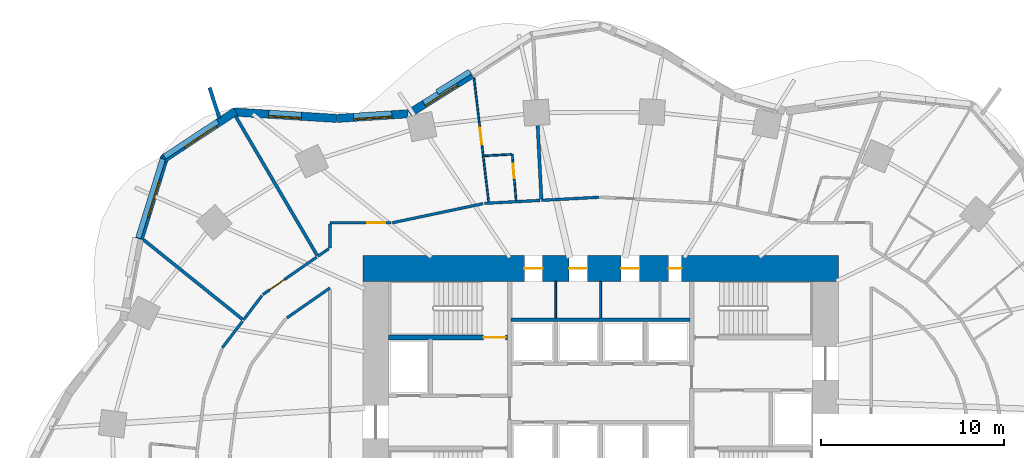
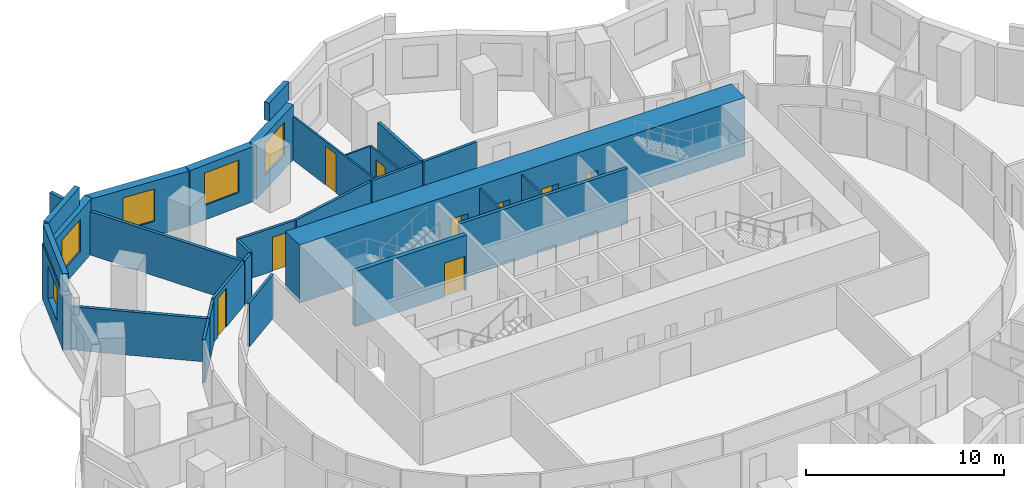
# One storey, part 8 of 11: 30 walls, 9 doors, 5 windows, 14 openings.
"""IFC4 building model written with IfcOpenShell, lengths in metres."""

import ifcopenshell
import ifcopenshell.guid

model = None  # the IFC model being written
_history = None  # IfcOwnerHistory: only IFC2X3 demands one
_inside = {}  # id of a spatial element -> (the spatial element, [elements in it])
_under = {}  # id of a project, library or spatial element -> (it, [spatial elements below it])
_declared = {}  # id of a project -> (the project, [libraries it declares])
_typed = {}  # id of a type object -> (the type object, [elements of that type])
_made_of = {}  # id of a material, layer set ... -> (it, [elements and type objects made of it])


def new_model(schema):
    """Start an empty IFC model of exactly this schema.

    Asked for "IFC4X3", IfcOpenShell would pick the latest addendum, in which some entities
    have other attributes; the version numbers below select the first issue.
    IFC2X3 requires an IfcOwnerHistory on every rooted entity: one is made here for all.
    """
    global model, _history
    if schema == "IFC4X3":
        model = ifcopenshell.file(schema_version=(4, 3, 0, 0))
    else:
        model = ifcopenshell.file(schema=schema)
    _inside.clear()
    _under.clear()
    _declared.clear()
    _typed.clear()
    _made_of.clear()
    _history = None
    if model.schema == "IFC2X3":
        org = make("IfcOrganization", Name="unknown")
        user = make(
            "IfcPersonAndOrganization",
            ThePerson=make("IfcPerson", FamilyName="unknown"),
            TheOrganization=org,
        )
        app = make(
            "IfcApplication",
            ApplicationDeveloper=org,
            Version="unknown",
            ApplicationFullName="unknown",
            ApplicationIdentifier="unknown",
        )
        _history = make(
            "IfcOwnerHistory",
            OwningUser=user,
            OwningApplication=app,
            ChangeAction="ADDED",
            CreationDate=0,
        )
    return model


def make(cls, **values):
    """One entity of the class cls with the attributes given. An attribute that is None is left unset."""
    return model.create_entity(
        cls, **{name: value for name, value in values.items() if value is not None}
    )


def rooted(cls, **values):
    """An entity with a GlobalId (a new one), such as an element, a storey or a relation."""
    return make(cls, GlobalId=ifcopenshell.guid.new(), OwnerHistory=_history, **values)


def si_unit(unit_type, name, prefix=None):
    """IfcSIUnit, for example si_unit("LENGTHUNIT", "METRE", prefix="MILLI")."""
    return make("IfcSIUnit", UnitType=unit_type, Prefix=prefix, Name=name)


def assignment(units):
    """IfcUnitAssignment: the units of a project."""
    return None if units is None else make("IfcUnitAssignment", Units=units)


def point(xyz):
    """IfcCartesianPoint."""
    return None if xyz is None else make("IfcCartesianPoint", Coordinates=xyz)


def direction(xyz):
    """IfcDirection."""
    return None if xyz is None else make("IfcDirection", DirectionRatios=xyz)


def frame(location, z_axis=None, x_axis=None):
    """IfcAxis2Placement3D, a coordinate frame: its origin and axes. An axis left out is left unset."""
    return make(
        "IfcAxis2Placement3D",
        Location=point(location),
        Axis=direction(z_axis),
        RefDirection=direction(x_axis),
    )


def frame_2d(location, x_axis=None):
    """IfcAxis2Placement2D, a coordinate frame in the plane: its origin and x axis."""
    return make(
        "IfcAxis2Placement2D", Location=point(location), RefDirection=direction(x_axis)
    )


def origin():
    """The frame at (0, 0, 0) with its axes left unset."""
    return frame((0.0, 0.0, 0.0))


def place(relative_to, where):
    """IfcLocalPlacement: puts the frame where relative to a parent placement (None: the world)."""
    return make(
        "IfcLocalPlacement", PlacementRelTo=relative_to, RelativePlacement=where
    )


def context(
    kind, dimensions, precision=None, world=None, true_north=None, identifier=None
):
    """IfcGeometricRepresentationContext, for example the 3D "Model" context."""
    return make(
        "IfcGeometricRepresentationContext",
        ContextIdentifier=identifier,
        ContextType=kind,
        CoordinateSpaceDimension=dimensions,
        Precision=precision,
        WorldCoordinateSystem=world,
        TrueNorth=true_north,
    )


def subcontext(parent, identifier, kind, view, scale=None):
    """IfcGeometricRepresentationSubContext, for example "Body" below "Model"."""
    return make(
        "IfcGeometricRepresentationSubContext",
        ContextIdentifier=identifier,
        ContextType=kind,
        ParentContext=parent,
        TargetScale=scale,
        TargetView=view,
    )


def project(units=None, contexts=None):
    """IfcProject with its units and contexts."""
    return rooted(
        "IfcProject",
        Name="project",
        RepresentationContexts=contexts,
        UnitsInContext=assignment(units),
    )


def spatial(cls, under=None, at=None, **own):
    """A site, building, storey or space (cls), placed at a placement, below another one or the project."""
    s = rooted(cls, ObjectPlacement=at, **own)
    if under is not None:
        _under.setdefault(under.id(), (under, []))[1].append(s)
    return s


def profile(cls, at=None, kind="AREA", **sizes):
    """A parametric profile (cls). Its sizes go by their IFC names, for example OverallWidth=200.0."""
    return make(cls, ProfileType=kind, Position=at, **sizes)


def rectangle(**sizes):
    """IfcRectangleProfileDef."""
    return profile("IfcRectangleProfileDef", **sizes)


def extrude(swept, where, along, depth):
    """IfcExtrudedAreaSolid: the profile swept, set in the frame where, extruded along a direction by depth."""
    return make(
        "IfcExtrudedAreaSolid",
        SweptArea=swept,
        Position=where,
        ExtrudedDirection=direction(along),
        Depth=depth,
    )


def shape(context_of_items, identifier, shape_type, items):
    """IfcShapeRepresentation: the items that make up one representation, for example the "Body"."""
    return make(
        "IfcShapeRepresentation",
        ContextOfItems=context_of_items,
        RepresentationIdentifier=identifier,
        RepresentationType=shape_type,
        Items=items,
    )


def material(Name=None, Category=None):
    """IfcMaterial."""
    return make("IfcMaterial", Name=Name, Category=Category)


def layer(
    of_material, thickness, ventilated=None, Name=None, Category=None, Priority=None
):
    """IfcMaterialLayer: one layer of a wall or slab, of a material (None: an air gap)."""
    return make(
        "IfcMaterialLayer",
        Material=of_material,
        LayerThickness=thickness,
        IsVentilated=ventilated,
        Name=Name,
        Category=Category,
        Priority=Priority,
    )


def layer_set(layers, Name=None):
    """IfcMaterialLayerSet."""
    return make("IfcMaterialLayerSet", MaterialLayers=layers, LayerSetName=Name)


def made_of(thing, what):
    """Note that an element or type object is made of a material, layer set ...; save() writes the relation."""
    if what is not None:
        _made_of.setdefault(what.id(), (what, []))[1].append(thing)
    return thing


def type_object(cls, material=None, **own):
    """A type object (cls), such as IfcWallType, which elements share."""
    return made_of(rooted(cls, **own), material)


def element(
    cls,
    number,
    at=None,
    inside=None,
    cuts=None,
    type_object=None,
    material=None,
    context=None,
    identifier="Body",
    shape_type=None,
    held_by="IfcProductDefinitionShape",
    body=None,
    shapes=None,
    **own,
):
    """One element of the class cls, such as IfcWall. Its Tag is "e" and its number.

    at: its placement. inside: the storey or other place that contains it. cuts: it is an
    opening in that element (IfcRelVoidsElement). A single representation is given by context,
    identifier, shape_type and body (its items); several are given by shapes. held_by: the class
    of the entity that holds the representations. save() writes the other relations.
    """
    e = rooted(cls, Tag="e%d" % number, ObjectPlacement=at, **own)
    if body is not None:
        shapes = [shape(context, identifier, shape_type, body)]
    if shapes is not None:
        e.Representation = make(held_by, Representations=shapes)
    if inside is not None:
        _inside.setdefault(inside.id(), (inside, []))[1].append(e)
    if cuts is not None:
        rooted(
            "IfcRelVoidsElement", RelatingBuildingElement=cuts, RelatedOpeningElement=e
        )
    if type_object is not None:
        _typed.setdefault(type_object.id(), (type_object, []))[1].append(e)
    return made_of(e, material)


def fill(opening, filler):
    """IfcRelFillsElement: the door or window that sits in an opening."""
    return rooted(
        "IfcRelFillsElement",
        RelatingOpeningElement=opening,
        RelatedBuildingElement=filler,
    )


def aggregate(whole, parts):
    """IfcRelAggregates: a whole, such as a stair, and the parts it consists of."""
    return rooted("IfcRelAggregates", RelatingObject=whole, RelatedObjects=parts)


def save(model, path):
    """Write the relations noted so far, then the file.

    IfcRelAggregates (storeys below a building ...), IfcRelContainedInSpatialStructure (elements
    in a storey), IfcRelDefinesByType, IfcRelAssociatesMaterial and IfcRelDeclares: one each for
    every whole, place, type object, material and project.
    """
    for whole, parts in _under.values():
        aggregate(whole, parts)
    for where, things in _inside.values():
        rooted(
            "IfcRelContainedInSpatialStructure",
            RelatedElements=things,
            RelatingStructure=where,
        )
    for kind, things in _typed.values():
        rooted("IfcRelDefinesByType", RelatedObjects=things, RelatingType=kind)
    for what, things in _made_of.values():
        rooted("IfcRelAssociatesMaterial", RelatedObjects=things, RelatingMaterial=what)
    for by, libraries in _declared.values():
        rooted("IfcRelDeclares", RelatingContext=by, RelatedDefinitions=libraries)
    model.write(path)


model = new_model("IFC4")

# Units and contexts
model_context = context("Model", 3, precision=1e-05, world=origin(), true_north=direction((0.0, 1.0)))
body_context = subcontext(model_context, "Body", "Model", "MODEL_VIEW")
ifc_project = project(units=[si_unit("LENGTHUNIT", "METRE"), si_unit("AREAUNIT", "SQUARE_METRE"), si_unit("VOLUMEUNIT", "CUBIC_METRE"), si_unit("PLANEANGLEUNIT", "RADIAN"), si_unit("MASSUNIT", "GRAM", prefix="KILO")], contexts=[model_context])

# Site, building, storey
site_placement = place(None, origin())
site = spatial("IfcSite", under=ifc_project, at=site_placement, CompositionType="ELEMENT")
building_placement = place(site_placement, origin())
building = spatial("IfcBuilding", under=site, at=building_placement, Name="Rubra Terraces Tower", CompositionType="ELEMENT")
storey_placement = place(building_placement, frame((0.0, 0.0, 41.10009765625)))
storey = spatial("IfcBuildingStorey", under=building, at=storey_placement, Name="L07", CompositionType="ELEMENT", Elevation=41.10009765625)

# Walls
ifc_material_1 = material(Name="Twin plasterboard on staggered steel stud, acoustic mineral wool", Category="steel")
ifc_layer_1 = layer(ifc_material_1, 0.175048828125)
ifc_layer_set_1 = layer_set([ifc_layer_1], Name="Twin plasterboard on staggered steel stud, acoustic mineral wool")
wall_type_1 = type_object("IfcWallType", Name="ACOUSTIC PARTY WALL 175", PredefinedType="PARTITIONING", material=ifc_layer_set_1)
wall_1_placement = place(storey_placement, frame((-3.44091796875, 19.10693359375, 0.0), z_axis=(0.0, 0.0, 1.0), x_axis=(0.050420513856, -0.998728076997, 0.0)))
element("IfcWall", 1, at=wall_1_placement, inside=storey, type_object=wall_type_1, Name="PARTITION", PredefinedType="PARTITIONING", context=body_context, shape_type="SweptSolid", body=[
    extrude(rectangle(XDim=4.00927734375, YDim=0.175048828125, at=frame_2d((2.004638671875, 0.0))), origin(), (0.0, 0.0, 1.0), 2.679931640625),
])
wall_2_placement = place(storey_placement, frame((-19.95849609375, 19.620361328125, 0.0), z_axis=(0.0, 0.0, 1.0), x_axis=(0.505625538269, -0.862753044069, 0.0)))
element("IfcWall", 2, at=wall_2_placement, inside=storey, type_object=wall_type_1, Name="PARTITION", PredefinedType="PARTITIONING", context=body_context, shape_type="SweptSolid", body=[
    extrude(rectangle(XDim=8.80224609375, YDim=0.175048828125, at=frame_2d((4.401123046875, 0.0))), origin(), (0.0, 0.0, 1.0), 2.679931640625),
])
wall_3_placement = place(storey_placement, frame((-24.99560546875, 12.870849609375, 0.0), z_axis=(0.0, 0.0, 1.0), x_axis=(0.779371961482, -0.626561525835, 0.0)))
element("IfcWall", 3, at=wall_3_placement, inside=storey, type_object=wall_type_1, Name="PARTITION", PredefinedType="PARTITIONING", context=body_context, shape_type="SweptSolid", body=[
    extrude(rectangle(XDim=6.932373046875, YDim=0.175048828125, at=frame_2d((3.46630859375, 0.0))), origin(), (0.0, 0.0, 1.0), 2.679931640625),
])

# Wall, opening, window
ifc_material_2 = material(Name="Brick masonry red-brown", Category="masonry")
ifc_layer_2 = layer(ifc_material_2, 0.449951171875)
ifc_layer_set_2 = layer_set([ifc_layer_2], Name="Brick masonry red-brown")
wall_type_2 = type_object("IfcWallType", Name="Brick facade wall 450", PredefinedType="SOLIDWALL", material=ifc_layer_set_2)
wall_4_placement = place(storey_placement, frame((-7.0517578125, 21.907470703125, 0.0), z_axis=(0.0, 0.0, 1.0), x_axis=(-0.848498976054, -0.529197021566, 0.0)))
wall_4 = element("IfcWall", 4, at=wall_4_placement, inside=storey, type_object=wall_type_2, Name="Facade wall L07 bay 13", PredefinedType="SOLIDWALL", context=body_context, shape_type="SweptSolid", body=[
    extrude(rectangle(XDim=3.99658203125, YDim=0.449951171875, at=frame_2d((1.998291015625, 0.0))), origin(), (0.0, 0.0, 1.0), 3.39990234375),
])
opening_1_placement = place(wall_4_placement, frame((0.9482421875, 0.0, 0.89990234375)))
opening_1 = element("IfcOpeningElement", 5, at=opening_1_placement, cuts=wall_4, Name="Opening W1", PredefinedType="OPENING", context=body_context, shape_type="SweptSolid", body=[
    extrude(rectangle(XDim=2.10009765625, YDim=2.0, at=frame_2d((1.050048828125, 1.0))), frame((0.0, 0.23486328125, 0.0), z_axis=(0.0, -1.0, 0.0), x_axis=(1.0, 0.0, 0.0)), (0.0, 0.0, 1.0), 0.469970703125),
])
ifc_material_3 = material(Name="Clear glass in aluminium frame", Category="aluminium")
window_type_1 = type_object("IfcWindowType", Name="Fixed deep-set window 2100 x 2000", PartitioningType="SINGLE_PANEL", PredefinedType="WINDOW", material=ifc_material_3)
window_1_placement = place(opening_1_placement, origin())
window_1 = element("IfcWindow", 6, at=window_1_placement, inside=storey, type_object=window_type_1, Name="Window L07 bay 13", OverallHeight=2.0, OverallWidth=2.10009765625, PartitioningType="SINGLE_PANEL", PredefinedType="WINDOW", context=body_context, shape_type="SweptSolid", body=[
    extrude(rectangle(XDim=2.10009765625, YDim=2.0, at=frame_2d((1.050048828125, 1.0))), frame((0.0, 0.135009765625, 0.0), z_axis=(0.0, -1.0, 0.0), x_axis=(1.0, 0.0, 0.0)), (0.0, 0.0, 1.0), 0.06005859375),
])
fill(opening_1, window_1)

wall_5_placement = place(storey_placement, frame((-10.537353515625, 19.76123046875, 0.0), z_axis=(0.0, 0.0, 1.0), x_axis=(-0.997831357874, -0.065822346084, 0.0)))
wall_5 = element("IfcWall", 7, at=wall_5_placement, inside=storey, type_object=wall_type_2, Name="Facade wall L07 bay 14", PredefinedType="SOLIDWALL", context=body_context, shape_type="SweptSolid", body=[
    extrude(rectangle(XDim=3.861083984375, YDim=0.449951171875, at=frame_2d((1.9306640625, 0.0))), origin(), (0.0, 0.0, 1.0), 3.39990234375),
])
opening_2_placement = place(wall_5_placement, frame((0.880615234375, 0.0, 0.89990234375)))
opening_2 = element("IfcOpeningElement", 8, at=opening_2_placement, cuts=wall_5, Name="Opening W1", PredefinedType="OPENING", context=body_context, shape_type="SweptSolid", body=[
    extrude(rectangle(XDim=2.10009765625, YDim=2.0, at=frame_2d((1.050048828125, 1.0))), frame((0.0, 0.23486328125, 0.0), z_axis=(0.0, -1.0, 0.0), x_axis=(1.0, 0.0, 0.0)), (0.0, 0.0, 1.0), 0.469970703125),
])
window_2_placement = place(opening_2_placement, origin())
window_2 = element("IfcWindow", 9, at=window_2_placement, inside=storey, type_object=window_type_1, Name="Window L07 bay 14", OverallHeight=2.0, OverallWidth=2.10009765625, PartitioningType="SINGLE_PANEL", PredefinedType="WINDOW", context=body_context, shape_type="SweptSolid", body=[
    extrude(rectangle(XDim=2.10009765625, YDim=2.0, at=frame_2d((1.050048828125, 1.0))), frame((0.0, 0.135009765625, 0.0), z_axis=(0.0, -1.0, 0.0), x_axis=(1.0, 0.0, 0.0)), (0.0, 0.0, 1.0), 0.06005859375),
])
fill(opening_2, window_2)

wall_6_placement = place(storey_placement, frame((-14.421142578125, 19.506103515625, 0.0), z_axis=(0.0, 0.0, 1.0), x_axis=(-0.998078573447, 0.06196096534, 0.0)))
wall_6 = element("IfcWall", 10, at=wall_6_placement, inside=storey, type_object=wall_type_2, Name="Facade wall L07 bay 15", PredefinedType="SOLIDWALL", context=body_context, shape_type="SweptSolid", body=[
    extrude(rectangle(XDim=5.681884765625, YDim=0.449951171875, at=frame_2d((2.8408203125, 0.0))), origin(), (0.0, 0.0, 1.0), 3.39990234375),
])
opening_3_placement = place(wall_6_placement, frame((1.94091796875, 0.0, 0.89990234375)))
opening_3 = element("IfcOpeningElement", 11, at=opening_3_placement, cuts=wall_6, Name="Opening W6", PredefinedType="OPENING", context=body_context, shape_type="SweptSolid", body=[
    extrude(rectangle(XDim=1.800048828125, YDim=2.0, at=frame_2d((0.89990234375, 1.0))), frame((0.0, 0.23486328125, 0.0), z_axis=(0.0, -1.0, 0.0), x_axis=(1.0, 0.0, 0.0)), (0.0, 0.0, 1.0), 0.469970703125),
])
window_type_2 = type_object("IfcWindowType", Name="Fixed deep-set window at wind fin 1800 x 2000", PartitioningType="SINGLE_PANEL", PredefinedType="WINDOW", material=ifc_material_3)
window_3_placement = place(opening_3_placement, origin())
window_3 = element("IfcWindow", 12, at=window_3_placement, inside=storey, type_object=window_type_2, Name="Window L07 bay 15", OverallHeight=2.0, OverallWidth=1.800048828125, PartitioningType="SINGLE_PANEL", PredefinedType="WINDOW", context=body_context, shape_type="SweptSolid", body=[
    extrude(rectangle(XDim=1.800048828125, YDim=2.0, at=frame_2d((0.89990234375, 1.0))), frame((0.0, 0.135009765625, 0.0), z_axis=(0.0, -1.0, 0.0), x_axis=(1.0, 0.0, 0.0)), (0.0, 0.0, 1.0), 0.06005859375),
])
fill(opening_3, window_3)

wall_7_placement = place(storey_placement, frame((-19.959228515625, 19.89501953125, 0.0), z_axis=(0.0, 0.0, 1.0), x_axis=(-0.835201398752, -0.549944200372, 0.0)))
wall_7 = element("IfcWall", 13, at=wall_7_placement, inside=storey, type_object=wall_type_2, Name="Facade wall L07 bay 16", PredefinedType="SOLIDWALL", context=body_context, shape_type="SweptSolid", body=[
    extrude(rectangle(XDim=4.74755859375, YDim=0.449951171875, at=frame_2d((2.373779296875, 0.0))), origin(), (0.0, 0.0, 1.0), 3.39990234375),
])
opening_4_placement = place(wall_7_placement, frame((1.32373046875, 0.0, 0.89990234375)))
opening_4 = element("IfcOpeningElement", 14, at=opening_4_placement, cuts=wall_7, Name="Opening W1", PredefinedType="OPENING", context=body_context, shape_type="SweptSolid", body=[
    extrude(rectangle(XDim=2.10009765625, YDim=2.0, at=frame_2d((1.050048828125, 1.0))), frame((0.0, 0.23486328125, 0.0), z_axis=(0.0, -1.0, 0.0), x_axis=(1.0, 0.0, 0.0)), (0.0, 0.0, 1.0), 0.469970703125),
])
window_4_placement = place(opening_4_placement, origin())
window_4 = element("IfcWindow", 15, at=window_4_placement, inside=storey, type_object=window_type_1, Name="Window L07 bay 16", OverallHeight=2.0, OverallWidth=2.10009765625, PartitioningType="SINGLE_PANEL", PredefinedType="WINDOW", context=body_context, shape_type="SweptSolid", body=[
    extrude(rectangle(XDim=2.10009765625, YDim=2.0, at=frame_2d((1.050048828125, 1.0))), frame((0.0, 0.135009765625, 0.0), z_axis=(0.0, -1.0, 0.0), x_axis=(1.0, 0.0, 0.0)), (0.0, 0.0, 1.0), 0.06005859375),
])
fill(opening_4, window_4)

wall_8_placement = place(storey_placement, frame((-23.834228515625, 17.40185546875, 0.0), z_axis=(0.0, 0.0, 1.0), x_axis=(-0.2954658114, -0.955353313855, 0.0)))
wall_8 = element("IfcWall", 16, at=wall_8_placement, inside=storey, type_object=wall_type_2, Name="Facade wall L07 bay 17", PredefinedType="SOLIDWALL", context=body_context, shape_type="SweptSolid", body=[
    extrude(rectangle(XDim=4.6982421875, YDim=0.449951171875, at=frame_2d((2.34912109375, 0.0))), origin(), (0.0, 0.0, 1.0), 3.39990234375),
])
opening_5_placement = place(wall_8_placement, frame((1.29931640625, 0.0, 0.89990234375)))
opening_5 = element("IfcOpeningElement", 17, at=opening_5_placement, cuts=wall_8, Name="Opening W1", PredefinedType="OPENING", context=body_context, shape_type="SweptSolid", body=[
    extrude(rectangle(XDim=2.10009765625, YDim=2.0, at=frame_2d((1.050048828125, 1.0))), frame((0.0, 0.23486328125, 0.0), z_axis=(0.0, -1.0, 0.0), x_axis=(1.0, 0.0, 0.0)), (0.0, 0.0, 1.0), 0.469970703125),
])
window_5_placement = place(opening_5_placement, origin())
window_5 = element("IfcWindow", 18, at=window_5_placement, inside=storey, type_object=window_type_1, Name="Window L07 bay 17", OverallHeight=2.0, OverallWidth=2.10009765625, PartitioningType="SINGLE_PANEL", PredefinedType="WINDOW", context=body_context, shape_type="SweptSolid", body=[
    extrude(rectangle(XDim=2.10009765625, YDim=2.0, at=frame_2d((1.050048828125, 1.0))), frame((0.0, 0.135009765625, 0.0), z_axis=(0.0, -1.0, 0.0), x_axis=(1.0, 0.0, 0.0)), (0.0, 0.0, 1.0), 0.06005859375),
])
fill(opening_5, window_5)

# Walls
ifc_layer_3 = layer(ifc_material_2, 0.300048828125)
ifc_layer_set_3 = layer_set([ifc_layer_3], Name="Brick masonry red-brown")
wall_type_3 = type_object("IfcWallType", Name="Brick parapet 300", PredefinedType="PARAPET", material=ifc_layer_set_3)
wall_9_placement = place(storey_placement, frame((-7.146240234375, 22.063720703125, 3.599853515625), z_axis=(0.0, 0.0, 1.0), x_axis=(-0.848488829337, -0.529213290168, 0.0)))
element("IfcWall", 19, at=wall_9_placement, inside=storey, type_object=wall_type_3, Name="Parapet L07 bay 13", PredefinedType="PARAPET", context=body_context, shape_type="SweptSolid", body=[
    extrude(rectangle(XDim=2.12353515625, YDim=0.300048828125, at=frame_2d((1.061767578125, 0.0))), origin(), (0.0, 0.0, 1.0), 1.10009765625),
])
wall_10_placement = place(storey_placement, frame((-20.936279296875, 19.341552734375, 3.599853515625), z_axis=(0.0, 0.0, 1.0), x_axis=(-0.835169297141, -0.549992950057, 0.0)))
element("IfcWall", 20, at=wall_10_placement, inside=storey, type_object=wall_type_3, Name="Parapet L07 bay 16", PredefinedType="PARAPET", context=body_context, shape_type="SweptSolid", body=[
    extrude(rectangle(XDim=3.489501953125, YDim=0.300048828125, at=frame_2d((1.74462890625, 0.0))), origin(), (0.0, 0.0, 1.0), 1.10009765625),
])
wall_11_placement = place(storey_placement, frame((-23.9453125, 17.296142578125, 3.599853515625), z_axis=(0.0, 0.0, 1.0), x_axis=(-0.29546008929, -0.955355083535, 0.0)))
element("IfcWall", 21, at=wall_11_placement, inside=storey, type_object=wall_type_3, Name="Parapet L07 bay 17", PredefinedType="PARAPET", context=body_context, shape_type="SweptSolid", body=[
    extrude(rectangle(XDim=4.530517578125, YDim=0.300048828125, at=frame_2d((2.26513671875, 0.0))), origin(), (0.0, 0.0, 1.0), 1.10009765625),
])
ifc_layer_4 = layer(ifc_material_2, 0.199951171875)
ifc_layer_set_4 = layer_set([ifc_layer_4], Name="Brick masonry red-brown")
wall_type_4 = type_object("IfcWallType", Name="Brick wind fin 200", PredefinedType="SOLIDWALL", material=ifc_layer_set_4)
wall_12_placement = place(storey_placement, frame((-20.845947265625, 19.530029296875, 0.0), z_axis=(0.0, 0.0, 1.0), x_axis=(-0.309732726603, 0.950823662974, 0.0)))
element("IfcWall", 22, at=wall_12_placement, inside=storey, type_object=wall_type_4, Name="Wind fin L07 10", PredefinedType="SOLIDWALL", context=body_context, shape_type="SweptSolid", body=[
    extrude(rectangle(XDim=1.749755859375, YDim=0.199951171875, at=frame_2d((0.875, 0.0))), origin(), (0.0, 0.0, 1.0), 3.39990234375),
])

# Wall, openings, doors
ifc_material_4 = material(Name="Concrete C70", Category="concrete")
ifc_layer_5 = layer(ifc_material_4, 1.39990234375)
ifc_layer_set_5 = layer_set([ifc_layer_5], Name="Concrete C70")
wall_type_5 = type_object("IfcWallType", Name="CORE WALL 1400 C70", PredefinedType="SHEAR", material=ifc_layer_set_5)
wall_13_placement = place(storey_placement, frame((-13.0, 11.300048828125, 0.0), z_axis=(0.0, 0.0, 1.0), x_axis=(1.0, 0.0, 0.0)))
wall_13 = element("IfcWall", 23, at=wall_13_placement, inside=storey, type_object=wall_type_5, Name="CORE WALL N L07", PredefinedType="SHEAR", context=body_context, shape_type="SweptSolid", body=[
    extrude(rectangle(XDim=26.0, YDim=1.39990234375, at=frame_2d((13.0, 0.0))), origin(), (0.0, 0.0, 1.0), 3.599853515625),
])
opening_6_placement = place(wall_13_placement, frame((8.824951171875, 0.0, 0.0)))
opening_6 = element("IfcOpeningElement", 24, at=opening_6_placement, cuts=wall_13, Name="Opening L07.C23", PredefinedType="OPENING", context=body_context, shape_type="SweptSolid", body=[
    extrude(rectangle(XDim=1.0, YDim=2.10009765625, at=frame_2d((0.5, 1.050048828125))), frame((0.0, 0.7099609375, 0.0), z_axis=(0.0, -1.0, 0.0), x_axis=(1.0, 0.0, 0.0)), (0.0, 0.0, 1.0), 1.419921875),
])
opening_7_placement = place(wall_13_placement, frame((11.27490234375, 0.0, 0.0)))
opening_7 = element("IfcOpeningElement", 25, at=opening_7_placement, cuts=wall_13, Name="Opening L07.C24", PredefinedType="OPENING", context=body_context, shape_type="SweptSolid", body=[
    extrude(rectangle(XDim=1.0, YDim=2.10009765625, at=frame_2d((0.5, 1.050048828125))), frame((0.0, 0.7099609375, 0.0), z_axis=(0.0, -1.0, 0.0), x_axis=(1.0, 0.0, 0.0)), (0.0, 0.0, 1.0), 1.419921875),
])
opening_8_placement = place(wall_13_placement, frame((14.125, 0.0, 0.0)))
opening_8 = element("IfcOpeningElement", 26, at=opening_8_placement, cuts=wall_13, Name="Opening L07.C25", PredefinedType="OPENING", context=body_context, shape_type="SweptSolid", body=[
    extrude(rectangle(XDim=1.0, YDim=2.10009765625, at=frame_2d((0.5, 1.050048828125))), frame((0.0, 0.7099609375, 0.0), z_axis=(0.0, -1.0, 0.0), x_axis=(1.0, 0.0, 0.0)), (0.0, 0.0, 1.0), 1.419921875),
])
opening_9_placement = place(wall_13_placement, frame((16.72509765625, 0.0, 0.0)))
opening_9 = element("IfcOpeningElement", 27, at=opening_9_placement, cuts=wall_13, Name="Opening L07.C26", PredefinedType="OPENING", context=body_context, shape_type="SweptSolid", body=[
    extrude(rectangle(XDim=0.699951171875, YDim=2.10009765625, at=frame_2d((0.35009765625, 1.050048828125))), frame((0.0, 0.7099609375, 0.0), z_axis=(0.0, -1.0, 0.0), x_axis=(1.0, 0.0, 0.0)), (0.0, 0.0, 1.0), 1.419921875),
])
ifc_material_5 = material(Name="Painted steel", Category="steel")
door_type_1 = type_object("IfcDoorType", Name="Fire door 1000x2100 single", OperationType="NOTDEFINED", PredefinedType="DOOR", material=ifc_material_5)
door_1_placement = place(opening_6_placement, origin())
door_1 = element("IfcDoor", 28, at=door_1_placement, inside=storey, type_object=door_type_1, Name="Accessible WC door", OperationType="SINGLE_SWING_LEFT", OverallHeight=2.10009765625, OverallWidth=1.0, PredefinedType="DOOR", context=body_context, shape_type="SweptSolid", body=[
    extrude(rectangle(XDim=1.0, YDim=2.10009765625, at=frame_2d((0.5, 1.050048828125))), frame((0.0, 0.02490234375, 0.0), z_axis=(0.0, -1.0, 0.0), x_axis=(1.0, 0.0, 0.0)), (0.0, 0.0, 1.0), 0.050048828125),
])
fill(opening_6, door_1)
door_2_placement = place(opening_7_placement, origin())
door_2 = element("IfcDoor", 29, at=door_2_placement, inside=storey, type_object=door_type_1, Name="Linen store door", OperationType="SINGLE_SWING_RIGHT", OverallHeight=2.10009765625, OverallWidth=1.0, PredefinedType="DOOR", context=body_context, shape_type="SweptSolid", body=[
    extrude(rectangle(XDim=1.0, YDim=2.10009765625, at=frame_2d((0.5, 1.050048828125))), frame((0.0, 0.02490234375, 0.0), z_axis=(0.0, -1.0, 0.0), x_axis=(1.0, 0.0, 0.0)), (0.0, 0.0, 1.0), 0.050048828125),
])
fill(opening_7, door_2)
door_3_placement = place(opening_8_placement, origin())
door_3 = element("IfcDoor", 30, at=door_3_placement, inside=storey, type_object=door_type_1, Name="Guest pantry door", OperationType="SINGLE_SWING_LEFT", OverallHeight=2.10009765625, OverallWidth=1.0, PredefinedType="DOOR", context=body_context, shape_type="SweptSolid", body=[
    extrude(rectangle(XDim=1.0, YDim=2.10009765625, at=frame_2d((0.5, 1.050048828125))), frame((0.0, 0.02490234375, 0.0), z_axis=(0.0, -1.0, 0.0), x_axis=(1.0, 0.0, 0.0)), (0.0, 0.0, 1.0), 0.050048828125),
])
fill(opening_8, door_3)
door_type_2 = type_object("IfcDoorType", Name="Riser access door 700x2100 single", OperationType="NOTDEFINED", PredefinedType="DOOR", material=ifc_material_5)
door_4_placement = place(opening_9_placement, origin())
door_4 = element("IfcDoor", 31, at=door_4_placement, inside=storey, type_object=door_type_2, Name="Telecoms room door", OperationType="SINGLE_SWING_RIGHT", OverallHeight=2.10009765625, OverallWidth=0.699951171875, PredefinedType="DOOR", context=body_context, shape_type="SweptSolid", body=[
    extrude(rectangle(XDim=0.699951171875, YDim=2.10009765625, at=frame_2d((0.35009765625, 1.050048828125))), frame((0.0, 0.02490234375, 0.0), z_axis=(0.0, -1.0, 0.0), x_axis=(1.0, 0.0, 0.0)), (0.0, 0.0, 1.0), 0.050048828125),
])
fill(opening_9, door_4)

# Walls
ifc_material_6 = material(Name="Plasterboard on steel stud, mineral wool infill", Category="steel")
ifc_layer_6 = layer(ifc_material_6, 0.14990234375)
ifc_layer_set_6 = layer_set([ifc_layer_6], Name="Plasterboard on steel stud, mineral wool infill")
wall_type_6 = type_object("IfcWallType", Name="CORRIDOR PARTITION 150", PredefinedType="PARTITIONING", material=ifc_layer_set_6)
wall_14_placement = place(storey_placement, frame((-0.074951171875, 15.19580078125, 0.0), z_axis=(0.0, 0.0, 1.0), x_axis=(-0.998590416346, -0.053077117309, 0.0)))
element("IfcWall", 32, at=wall_14_placement, inside=storey, type_object=wall_type_6, Name="PARTITION", PredefinedType="PARTITIONING", context=body_context, shape_type="SweptSolid", body=[
    extrude(rectangle(XDim=3.16455078125, YDim=0.14990234375, at=frame_2d((1.582275390625, 0.0))), origin(), (0.0, 0.0, 1.0), 2.679931640625),
])
wall_15_placement = place(storey_placement, frame((-3.309814453125, 15.023681640625, 0.0), z_axis=(0.0, 0.0, 1.0), x_axis=(-0.998591396637, -0.053058670938, 0.0)))
element("IfcWall", 33, at=wall_15_placement, inside=storey, type_object=wall_type_6, Name="PARTITION", PredefinedType="PARTITIONING", context=body_context, shape_type="SweptSolid", body=[
    extrude(rectangle(XDim=3.05078125, YDim=0.14990234375, at=frame_2d((1.525390625, 0.0))), origin(), (0.0, 0.0, 1.0), 2.679931640625),
])
wall_16_placement = place(storey_placement, frame((-6.4296875, 14.84619140625, 0.0), z_axis=(0.0, 0.0, 1.0), x_axis=(-0.978470502428, -0.206386714394, 0.0)))
element("IfcWall", 34, at=wall_16_placement, inside=storey, type_object=wall_type_6, Name="PARTITION", PredefinedType="PARTITIONING", context=body_context, shape_type="SweptSolid", body=[
    extrude(rectangle(XDim=5.06884765625, YDim=0.14990234375, at=frame_2d((2.534423828125, 0.0))), origin(), (0.0, 0.0, 1.0), 2.679931640625),
])

# Wall, opening, door
wall_17_placement = place(storey_placement, frame((-11.46435546875, 13.800048828125, 0.0), z_axis=(0.0, 0.0, 1.0), x_axis=(-1.0, 0.0, 0.0)))
wall_17 = element("IfcWall", 35, at=wall_17_placement, inside=storey, type_object=wall_type_6, Name="PARTITION", PredefinedType="PARTITIONING", context=body_context, shape_type="SweptSolid", body=[
    extrude(rectangle(XDim=3.335693359375, YDim=0.14990234375, at=frame_2d((1.66796875, 0.0))), origin(), (0.0, 0.0, 1.0), 2.679931640625),
])
opening_10_placement = place(wall_17_placement, frame((0.300048828125, 0.0, 0.0)))
opening_10 = element("IfcOpeningElement", 36, at=opening_10_placement, cuts=wall_17, Name="Opening 07-114", PredefinedType="OPENING", context=body_context, shape_type="SweptSolid", body=[
    extrude(rectangle(XDim=1.0, YDim=2.10009765625, at=frame_2d((0.5, 1.050048828125))), frame((0.0, 0.0849609375, 0.0), z_axis=(0.0, -1.0, 0.0), x_axis=(1.0, 0.0, 0.0)), (0.0, 0.0, 1.0), 0.169921875),
])
ifc_material_7 = material(Name="Painted timber door leaf", Category="wood")
door_type_3 = type_object("IfcDoorType", Name="ROOM DOOR 1000 X 2100", OperationType="SINGLE_SWING_LEFT", PredefinedType="DOOR", material=ifc_material_7)
door_5_placement = place(opening_10_placement, origin())
door_5 = element("IfcDoor", 37, at=door_5_placement, inside=storey, type_object=door_type_3, Name="DOOR 07-114", OperationType="SINGLE_SWING_RIGHT", OverallHeight=2.10009765625, OverallWidth=1.0, PredefinedType="DOOR", context=body_context, shape_type="SweptSolid", body=[
    extrude(rectangle(XDim=1.0, YDim=2.10009765625, at=frame_2d((0.5, 1.050048828125))), frame((0.0, 0.02490234375, 0.0), z_axis=(0.0, -1.0, 0.0), x_axis=(1.0, 0.0, 0.0)), (0.0, 0.0, 1.0), 0.050048828125),
])
fill(opening_10, door_5)

# Walls
wall_18_placement = place(storey_placement, frame((-14.800048828125, 13.72509765625, 0.0), z_axis=(0.0, 0.0, 1.0), x_axis=(-0.000188040613, -0.99999998232, 0.0)))
element("IfcWall", 38, at=wall_18_placement, inside=storey, type_object=wall_type_6, Name="PARTITION", PredefinedType="PARTITIONING", context=body_context, shape_type="SweptSolid", body=[
    extrude(rectangle(XDim=1.29833984375, YDim=0.14990234375, at=frame_2d((0.649169921875, 0.0))), origin(), (0.0, 0.0, 1.0), 2.679931640625),
])
wall_19_placement = place(storey_placement, frame((-14.86181640625, 12.384033203125, 0.0), z_axis=(0.0, 0.0, 1.0), x_axis=(-0.821086629872, -0.570803596911, 0.0)))
element("IfcWall", 39, at=wall_19_placement, inside=storey, type_object=wall_type_6, Name="PARTITION", PredefinedType="PARTITIONING", context=body_context, shape_type="SweptSolid", body=[
    extrude(rectangle(XDim=0.740478515625, YDim=0.14990234375, at=frame_2d((0.3701171875, 0.0))), origin(), (0.0, 0.0, 1.0), 2.679931640625),
])

# Wall, opening, door
wall_20_placement = place(storey_placement, frame((-15.531494140625, 11.918701171875, 0.0), z_axis=(0.0, 0.0, 1.0), x_axis=(-0.821142304153, -0.570723502522, 0.0)))
wall_20 = element("IfcWall", 40, at=wall_20_placement, inside=storey, type_object=wall_type_6, Name="PARTITION", PredefinedType="PARTITIONING", context=body_context, shape_type="SweptSolid", body=[
    extrude(rectangle(XDim=3.587646484375, YDim=0.14990234375, at=frame_2d((1.7939453125, 0.0))), origin(), (0.0, 0.0, 1.0), 2.679931640625),
])
opening_11_placement = place(wall_20_placement, frame((2.1298828125, 0.0, 0.0)))
opening_11 = element("IfcOpeningElement", 41, at=opening_11_placement, cuts=wall_20, Name="Opening 07-115", PredefinedType="OPENING", context=body_context, shape_type="SweptSolid", body=[
    extrude(rectangle(XDim=1.0, YDim=2.39990234375, at=frame_2d((0.5, 1.199951171875))), frame((0.0, 0.0849609375, 0.0), z_axis=(0.0, -1.0, 0.0), x_axis=(1.0, 0.0, 0.0)), (0.0, 0.0, 1.0), 0.169921875),
])
ifc_material_8 = material(Name="Glazed aluminium meeting door leaf", Category="aluminium")
door_type_4 = type_object("IfcDoorType", Name="MEETING ROOM GLAZED DOOR 1000 X 2400", OperationType="SINGLE_SWING_LEFT", PredefinedType="DOOR", material=ifc_material_8)
door_6_placement = place(opening_11_placement, origin())
door_6 = element("IfcDoor", 42, at=door_6_placement, inside=storey, type_object=door_type_4, Name="DOOR 07-115", OperationType="SINGLE_SWING_RIGHT", OverallHeight=2.39990234375, OverallWidth=1.0, PredefinedType="DOOR", context=body_context, shape_type="SweptSolid", body=[
    extrude(rectangle(XDim=1.0, YDim=2.39990234375, at=frame_2d((0.5, 1.199951171875))), frame((0.0, 0.02490234375, 0.0), z_axis=(0.0, -1.0, 0.0), x_axis=(1.0, 0.0, 0.0)), (0.0, 0.0, 1.0), 0.050048828125),
])
fill(opening_11, door_6)

# Walls
wall_21_placement = place(storey_placement, frame((-18.52294921875, 9.811279296875, 0.0), z_axis=(0.0, 0.0, 1.0), x_axis=(-0.605012897814, -0.796215670204, 0.0)))
element("IfcWall", 43, at=wall_21_placement, inside=storey, type_object=wall_type_6, Name="PARTITION", PredefinedType="PARTITIONING", context=body_context, shape_type="SweptSolid", body=[
    extrude(rectangle(XDim=1.67138671875, YDim=0.14990234375, at=frame_2d((0.835693359375, 0.0))), origin(), (0.0, 0.0, 1.0), 2.679931640625),
])
wall_22_placement = place(storey_placement, frame((-19.57958984375, 8.420654296875, 0.0), z_axis=(0.0, 0.0, 1.0), x_axis=(-0.605079905314, -0.796164749399, 0.0)))
element("IfcWall", 44, at=wall_22_placement, inside=storey, type_object=wall_type_6, Name="PARTITION", PredefinedType="PARTITIONING", context=body_context, shape_type="SweptSolid", body=[
    extrude(rectangle(XDim=1.841064453125, YDim=0.14990234375, at=frame_2d((0.92041015625, 0.0))), origin(), (0.0, 0.0, 1.0), 2.679931640625),
])
wall_23_placement = place(storey_placement, frame((-17.15478515625, 8.59814453125, 0.0), z_axis=(0.0, 0.0, 1.0), x_axis=(0.821087350938, 0.570802559673, 0.0)))
element("IfcWall", 45, at=wall_23_placement, inside=storey, type_object=wall_type_6, Name="PARTITION", PredefinedType="PARTITIONING", context=body_context, shape_type="SweptSolid", body=[
    extrude(rectangle(XDim=2.867919921875, YDim=0.14990234375, at=frame_2d((1.43408203125, 0.0))), origin(), (0.0, 0.0, 1.0), 2.679931640625),
])
ifc_material_9 = material(Name="Concrete C30", Category="concrete")
ifc_layer_7 = layer(ifc_material_9, 0.199951171875)
ifc_layer_set_7 = layer_set([ifc_layer_7], Name="Concrete C30")
wall_type_7 = type_object("IfcWallType", Name="Core wall 200 concrete", PredefinedType="SOLIDWALL", material=ifc_layer_set_7)
wall_24_placement = place(storey_placement, frame((-4.89990234375, 8.5, 0.0), z_axis=(0.0, 0.0, 1.0), x_axis=(1.0, 0.0, 0.0)))
element("IfcWall", 46, at=wall_24_placement, inside=storey, type_object=wall_type_7, Name="LIFT SHAFT WALL L07", PredefinedType="SOLIDWALL", context=body_context, shape_type="SweptSolid", body=[
    extrude(rectangle(XDim=9.7998046875, YDim=0.199951171875, at=frame_2d((4.89990234375, 0.0))), origin(), (0.0, 0.0, 1.0), 3.39990234375),
])

# Wall, opening, door
ifc_material_10 = material(Name="Plasterboard on steel stud", Category="steel")
ifc_layer_8 = layer(ifc_material_10, 0.10009765625)
ifc_layer_set_8 = layer_set([ifc_layer_8], Name="Plasterboard on steel stud")
wall_type_8 = type_object("IfcWallType", Name="ROOM PARTITION 100", PredefinedType="PARTITIONING", material=ifc_layer_set_8)
wall_25_placement = place(storey_placement, frame((-6.922607421875, 21.71826171875, 0.0), z_axis=(0.0, 0.0, 1.0), x_axis=(0.117163366321, -0.993112655036, 0.0)))
wall_25 = element("IfcWall", 47, at=wall_25_placement, inside=storey, type_object=wall_type_8, Name="PARTITION", PredefinedType="PARTITIONING", context=body_context, shape_type="SweptSolid", body=[
    extrude(rectangle(XDim=6.81591796875, YDim=0.10009765625, at=frame_2d((3.407958984375, 0.0))), origin(), (0.0, 0.0, 1.0), 2.679931640625),
])
opening_12_placement = place(wall_25_placement, frame((2.740966796875, 0.0, 0.0)))
opening_12 = element("IfcOpeningElement", 48, at=opening_12_placement, cuts=wall_25, Name="Opening 07-113", PredefinedType="OPENING", context=body_context, shape_type="SweptSolid", body=[
    extrude(rectangle(XDim=0.89990234375, YDim=2.39990234375, at=frame_2d((0.449951171875, 1.199951171875))), frame((0.0, 0.06005859375, 0.0), z_axis=(0.0, -1.0, 0.0), x_axis=(1.0, 0.0, 0.0)), (0.0, 0.0, 1.0), 0.1201171875),
])
ifc_material_11 = material(Name="Veneered timber door leaf, fire-rated", Category="wood")
door_type_5 = type_object("IfcDoorType", Name="SUITE ENTRANCE DOOR 900 X 2400", OperationType="SINGLE_SWING_LEFT", PredefinedType="DOOR", material=ifc_material_11)
door_7_placement = place(opening_12_placement, origin())
door_7 = element("IfcDoor", 49, at=door_7_placement, inside=storey, type_object=door_type_5, Name="DOOR 07-113", OperationType="SINGLE_SWING_LEFT", OverallHeight=2.39990234375, OverallWidth=0.89990234375, PredefinedType="DOOR", context=body_context, shape_type="SweptSolid", body=[
    extrude(rectangle(XDim=0.89990234375, YDim=2.39990234375, at=frame_2d((0.449951171875, 1.199951171875))), frame((0.0, 0.02490234375, 0.0), z_axis=(0.0, -1.0, 0.0), x_axis=(1.0, 0.0, 0.0)), (0.0, 0.0, 1.0), 0.050048828125),
])
fill(opening_12, door_7)

wall_26_placement = place(storey_placement, frame((-4.62353515625, 15.029052734375, 0.0), z_axis=(0.0, 0.0, 1.0), x_axis=(-0.08247732406, 0.996592941484, 0.0)))
wall_26 = element("IfcWall", 50, at=wall_26_placement, inside=storey, type_object=wall_type_8, Name="PARTITION", PredefinedType="PARTITIONING", context=body_context, shape_type="SweptSolid", body=[
    extrude(rectangle(XDim=2.52490234375, YDim=0.10009765625, at=frame_2d((1.262451171875, 0.0))), origin(), (0.0, 0.0, 1.0), 2.679931640625),
])
opening_13_placement = place(wall_26_placement, frame((1.199951171875, 0.0, 0.0)))
opening_13 = element("IfcOpeningElement", 51, at=opening_13_placement, cuts=wall_26, Name="Opening 07-112", PredefinedType="OPENING", context=body_context, shape_type="SweptSolid", body=[
    extrude(rectangle(XDim=0.800048828125, YDim=2.10009765625, at=frame_2d((0.39990234375, 1.050048828125))), frame((0.0, 0.06005859375, 0.0), z_axis=(0.0, -1.0, 0.0), x_axis=(1.0, 0.0, 0.0)), (0.0, 0.0, 1.0), 0.1201171875),
])
door_type_6 = type_object("IfcDoorType", Name="BATHROOM DOOR 800 X 2100", OperationType="SINGLE_SWING_LEFT", PredefinedType="DOOR", material=ifc_material_7)
door_8_placement = place(opening_13_placement, origin())
door_8 = element("IfcDoor", 52, at=door_8_placement, inside=storey, type_object=door_type_6, Name="DOOR 07-112", OperationType="SINGLE_SWING_LEFT", OverallHeight=2.10009765625, OverallWidth=0.800048828125, PredefinedType="DOOR", context=body_context, shape_type="SweptSolid", body=[
    extrude(rectangle(XDim=0.800048828125, YDim=2.10009765625, at=frame_2d((0.39990234375, 1.050048828125))), frame((0.0, 0.02490234375, 0.0), z_axis=(0.0, -1.0, 0.0), x_axis=(1.0, 0.0, 0.0)), (0.0, 0.0, 1.0), 0.050048828125),
])
fill(opening_13, door_8)

# Walls
wall_27_placement = place(storey_placement, frame((-4.881591796875, 17.54248046875, 0.0), z_axis=(0.0, 0.0, 1.0), x_axis=(-0.998448742198, -0.055678624298, 0.0)))
element("IfcWall", 53, at=wall_27_placement, inside=storey, type_object=wall_type_8, Name="PARTITION", PredefinedType="PARTITIONING", context=body_context, shape_type="SweptSolid", body=[
    extrude(rectangle(XDim=1.49072265625, YDim=0.10009765625, at=frame_2d((0.745361328125, 0.0))), origin(), (0.0, 0.0, 1.0), 2.679931640625),
])
ifc_material_12 = material(Name="Blockwork", Category="masonry")
ifc_layer_9 = layer(ifc_material_12, 0.10009765625)
ifc_layer_set_9 = layer_set([ifc_layer_9], Name="Blockwork")
wall_type_9 = type_object("IfcWallType", Name="Service partition 100 blockwork", PredefinedType="PARTITIONING", material=ifc_layer_set_9)
for number, where, z_axis, x_axis, name in (
    (54, (-2.449951171875, 8.60009765625, 0.0), (0.0, 0.0, 1.0), (0.0, 1.0, 0.0), "SERVICE ROOM PARTITION L07"),
    (55, (0.0, 8.60009765625, 0.0), (0.0, 0.0, 1.0), (0.0, 1.0, 0.0), "SERVICE ROOM PARTITION L07"),
):
    element("IfcWall", number, at=place(storey_placement, frame(where, z_axis=z_axis, x_axis=x_axis)), inside=storey, type_object=wall_type_9, Name=name, PredefinedType="PARTITIONING", context=body_context, shape_type="SweptSolid", body=[
        extrude(rectangle(XDim=2.0, YDim=0.10009765625, at=frame_2d((1.0, 0.0))), origin(), (0.0, 0.0, 1.0), 3.39990234375),
    ])

# Wall, opening, door
ifc_material_13 = material(Name="Concrete C40", Category="concrete")
ifc_layer_10 = layer(ifc_material_13, 0.25)
ifc_layer_set_10 = layer_set([ifc_layer_10], Name="Concrete C40")
wall_type_10 = type_object("IfcWallType", Name="Stair enclosure wall 250 concrete", PredefinedType="SOLIDWALL", material=ifc_layer_set_10)
wall_28_placement = place(storey_placement, frame((-11.60009765625, 7.52490234375, 0.0), z_axis=(0.0, 0.0, 1.0), x_axis=(1.0, 0.0, 0.0)))
wall_28 = element("IfcWall", 56, at=wall_28_placement, inside=storey, type_object=wall_type_10, Name="STAIR WALL L07", PredefinedType="SOLIDWALL", context=body_context, shape_type="SweptSolid", body=[
    extrude(rectangle(XDim=6.5, YDim=0.25, at=frame_2d((3.25, 0.0))), origin(), (0.0, 0.0, 1.0), 3.39990234375),
])
opening_14_placement = place(wall_28_placement, frame((5.199951171875, 0.0, 0.0)))
opening_14 = element("IfcOpeningElement", 57, at=opening_14_placement, cuts=wall_28, Name="Opening L07.C09", PredefinedType="OPENING", context=body_context, shape_type="SweptSolid", body=[
    extrude(rectangle(XDim=1.199951171875, YDim=2.10009765625, at=frame_2d((0.60009765625, 1.050048828125))), frame((0.0, 0.135009765625, 0.0), z_axis=(0.0, -1.0, 0.0), x_axis=(1.0, 0.0, 0.0)), (0.0, 0.0, 1.0), 0.27001953125),
])
door_type_7 = type_object("IfcDoorType", Name="Fire door 1200x2100 single", OperationType="NOTDEFINED", PredefinedType="DOOR", material=ifc_material_5)
door_9_placement = place(opening_14_placement, origin())
door_9 = element("IfcDoor", 58, at=door_9_placement, inside=storey, type_object=door_type_7, Name="Stair door S2", OperationType="SINGLE_SWING_LEFT", OverallHeight=2.10009765625, OverallWidth=1.199951171875, PredefinedType="DOOR", context=body_context, shape_type="SweptSolid", body=[
    extrude(rectangle(XDim=1.199951171875, YDim=2.10009765625, at=frame_2d((0.60009765625, 1.050048828125))), frame((0.0, 0.02490234375, 0.0), z_axis=(0.0, -1.0, 0.0), x_axis=(1.0, 0.0, 0.0)), (0.0, 0.0, 1.0), 0.050048828125),
])
fill(opening_14, door_9)

save(model, "model.ifc")
